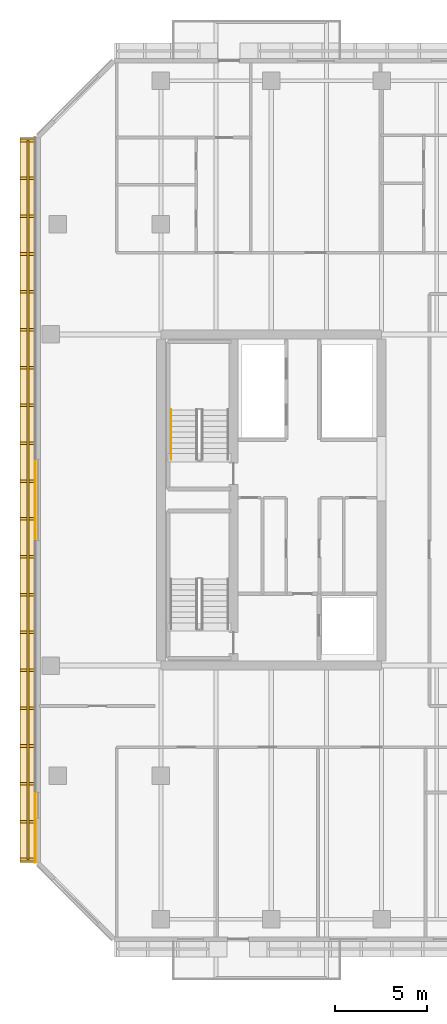
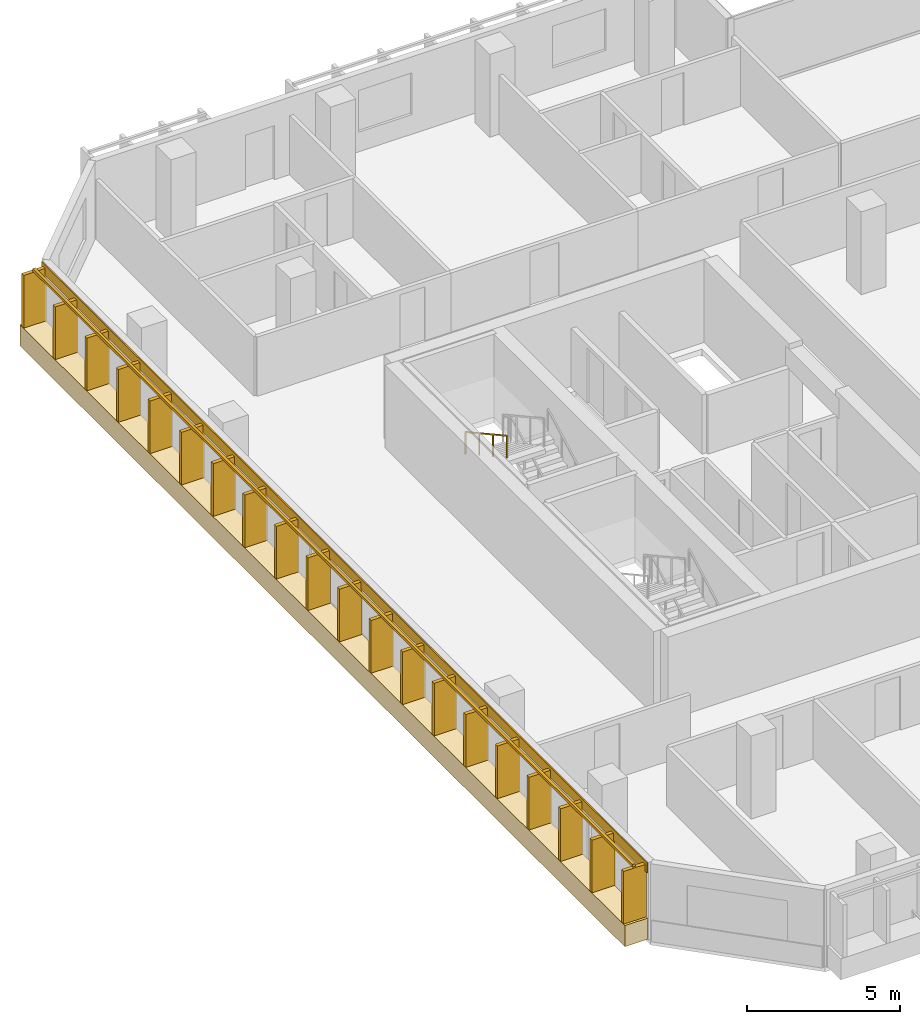
# One storey, part 19 of 23: 2 coverings, 2 railings.
"""IFC4 building model written with IfcOpenShell, lengths in metres."""

import ifcopenshell
import ifcopenshell.guid

model = None  # the IFC model being written
_history = None  # IfcOwnerHistory: only IFC2X3 demands one
_inside = {}  # id of a spatial element -> (the spatial element, [elements in it])
_under = {}  # id of a project, library or spatial element -> (it, [spatial elements below it])
_declared = {}  # id of a project -> (the project, [libraries it declares])
_typed = {}  # id of a type object -> (the type object, [elements of that type])
_made_of = {}  # id of a material, layer set ... -> (it, [elements and type objects made of it])


def new_model(schema):
    """Start an empty IFC model of exactly this schema.

    Asked for "IFC4X3", IfcOpenShell would pick the latest addendum, in which some entities
    have other attributes; the version numbers below select the first issue.
    IFC2X3 requires an IfcOwnerHistory on every rooted entity: one is made here for all.
    """
    global model, _history
    if schema == "IFC4X3":
        model = ifcopenshell.file(schema_version=(4, 3, 0, 0))
    else:
        model = ifcopenshell.file(schema=schema)
    _inside.clear()
    _under.clear()
    _declared.clear()
    _typed.clear()
    _made_of.clear()
    _history = None
    if model.schema == "IFC2X3":
        org = make("IfcOrganization", Name="unknown")
        user = make(
            "IfcPersonAndOrganization",
            ThePerson=make("IfcPerson", FamilyName="unknown"),
            TheOrganization=org,
        )
        app = make(
            "IfcApplication",
            ApplicationDeveloper=org,
            Version="unknown",
            ApplicationFullName="unknown",
            ApplicationIdentifier="unknown",
        )
        _history = make(
            "IfcOwnerHistory",
            OwningUser=user,
            OwningApplication=app,
            ChangeAction="ADDED",
            CreationDate=0,
        )
    return model


def make(cls, **values):
    """One entity of the class cls with the attributes given. An attribute that is None is left unset."""
    return model.create_entity(
        cls, **{name: value for name, value in values.items() if value is not None}
    )


def rooted(cls, **values):
    """An entity with a GlobalId (a new one), such as an element, a storey or a relation."""
    return make(cls, GlobalId=ifcopenshell.guid.new(), OwnerHistory=_history, **values)


def si_unit(unit_type, name, prefix=None):
    """IfcSIUnit, for example si_unit("LENGTHUNIT", "METRE", prefix="MILLI")."""
    return make("IfcSIUnit", UnitType=unit_type, Prefix=prefix, Name=name)


def assignment(units):
    """IfcUnitAssignment: the units of a project."""
    return None if units is None else make("IfcUnitAssignment", Units=units)


def point(xyz):
    """IfcCartesianPoint."""
    return None if xyz is None else make("IfcCartesianPoint", Coordinates=xyz)


def direction(xyz):
    """IfcDirection."""
    return None if xyz is None else make("IfcDirection", DirectionRatios=xyz)


def frame(location, z_axis=None, x_axis=None):
    """IfcAxis2Placement3D, a coordinate frame: its origin and axes. An axis left out is left unset."""
    return make(
        "IfcAxis2Placement3D",
        Location=point(location),
        Axis=direction(z_axis),
        RefDirection=direction(x_axis),
    )


def frame_2d(location, x_axis=None):
    """IfcAxis2Placement2D, a coordinate frame in the plane: its origin and x axis."""
    return make(
        "IfcAxis2Placement2D", Location=point(location), RefDirection=direction(x_axis)
    )


def origin():
    """The frame at (0, 0, 0) with its axes left unset."""
    return frame((0.0, 0.0, 0.0))


def origin_2d():
    """The frame at (0, 0) in the plane with its x axis left unset."""
    return frame_2d((0.0, 0.0))


def place(relative_to, where):
    """IfcLocalPlacement: puts the frame where relative to a parent placement (None: the world)."""
    return make(
        "IfcLocalPlacement", PlacementRelTo=relative_to, RelativePlacement=where
    )


def context(
    kind, dimensions, precision=None, world=None, true_north=None, identifier=None
):
    """IfcGeometricRepresentationContext, for example the 3D "Model" context."""
    return make(
        "IfcGeometricRepresentationContext",
        ContextIdentifier=identifier,
        ContextType=kind,
        CoordinateSpaceDimension=dimensions,
        Precision=precision,
        WorldCoordinateSystem=world,
        TrueNorth=true_north,
    )


def subcontext(parent, identifier, kind, view, scale=None):
    """IfcGeometricRepresentationSubContext, for example "Body" below "Model"."""
    return make(
        "IfcGeometricRepresentationSubContext",
        ContextIdentifier=identifier,
        ContextType=kind,
        ParentContext=parent,
        TargetScale=scale,
        TargetView=view,
    )


def project(units=None, contexts=None):
    """IfcProject with its units and contexts."""
    return rooted(
        "IfcProject",
        Name="project",
        RepresentationContexts=contexts,
        UnitsInContext=assignment(units),
    )


def spatial(cls, under=None, at=None, **own):
    """A site, building, storey or space (cls), placed at a placement, below another one or the project."""
    s = rooted(cls, ObjectPlacement=at, **own)
    if under is not None:
        _under.setdefault(under.id(), (under, []))[1].append(s)
    return s


def profile(cls, at=None, kind="AREA", **sizes):
    """A parametric profile (cls). Its sizes go by their IFC names, for example OverallWidth=200.0."""
    return make(cls, ProfileType=kind, Position=at, **sizes)


def rectangle(**sizes):
    """IfcRectangleProfileDef."""
    return profile("IfcRectangleProfileDef", **sizes)


def extrude(swept, where, along, depth):
    """IfcExtrudedAreaSolid: the profile swept, set in the frame where, extruded along a direction by depth."""
    return make(
        "IfcExtrudedAreaSolid",
        SweptArea=swept,
        Position=where,
        ExtrudedDirection=direction(along),
        Depth=depth,
    )


def shape(context_of_items, identifier, shape_type, items):
    """IfcShapeRepresentation: the items that make up one representation, for example the "Body"."""
    return make(
        "IfcShapeRepresentation",
        ContextOfItems=context_of_items,
        RepresentationIdentifier=identifier,
        RepresentationType=shape_type,
        Items=items,
    )


def material(Name=None, Category=None):
    """IfcMaterial."""
    return make("IfcMaterial", Name=Name, Category=Category)


def layer(
    of_material, thickness, ventilated=None, Name=None, Category=None, Priority=None
):
    """IfcMaterialLayer: one layer of a wall or slab, of a material (None: an air gap)."""
    return make(
        "IfcMaterialLayer",
        Material=of_material,
        LayerThickness=thickness,
        IsVentilated=ventilated,
        Name=Name,
        Category=Category,
        Priority=Priority,
    )


def layer_set(layers, Name=None):
    """IfcMaterialLayerSet."""
    return make("IfcMaterialLayerSet", MaterialLayers=layers, LayerSetName=Name)


def made_of(thing, what):
    """Note that an element or type object is made of a material, layer set ...; save() writes the relation."""
    if what is not None:
        _made_of.setdefault(what.id(), (what, []))[1].append(thing)
    return thing


def type_object(cls, material=None, **own):
    """A type object (cls), such as IfcWallType, which elements share."""
    return made_of(rooted(cls, **own), material)


def element(
    cls,
    number,
    at=None,
    inside=None,
    cuts=None,
    type_object=None,
    material=None,
    context=None,
    identifier="Body",
    shape_type=None,
    held_by="IfcProductDefinitionShape",
    body=None,
    shapes=None,
    **own,
):
    """One element of the class cls, such as IfcWall. Its Tag is "e" and its number.

    at: its placement. inside: the storey or other place that contains it. cuts: it is an
    opening in that element (IfcRelVoidsElement). A single representation is given by context,
    identifier, shape_type and body (its items); several are given by shapes. held_by: the class
    of the entity that holds the representations. save() writes the other relations.
    """
    e = rooted(cls, Tag="e%d" % number, ObjectPlacement=at, **own)
    if body is not None:
        shapes = [shape(context, identifier, shape_type, body)]
    if shapes is not None:
        e.Representation = make(held_by, Representations=shapes)
    if inside is not None:
        _inside.setdefault(inside.id(), (inside, []))[1].append(e)
    if cuts is not None:
        rooted(
            "IfcRelVoidsElement", RelatingBuildingElement=cuts, RelatedOpeningElement=e
        )
    if type_object is not None:
        _typed.setdefault(type_object.id(), (type_object, []))[1].append(e)
    return made_of(e, material)


def aggregate(whole, parts):
    """IfcRelAggregates: a whole, such as a stair, and the parts it consists of."""
    return rooted("IfcRelAggregates", RelatingObject=whole, RelatedObjects=parts)


def save(model, path):
    """Write the relations noted so far, then the file.

    IfcRelAggregates (storeys below a building ...), IfcRelContainedInSpatialStructure (elements
    in a storey), IfcRelDefinesByType, IfcRelAssociatesMaterial and IfcRelDeclares: one each for
    every whole, place, type object, material and project.
    """
    for whole, parts in _under.values():
        aggregate(whole, parts)
    for where, things in _inside.values():
        rooted(
            "IfcRelContainedInSpatialStructure",
            RelatedElements=things,
            RelatingStructure=where,
        )
    for kind, things in _typed.values():
        rooted("IfcRelDefinesByType", RelatedObjects=things, RelatingType=kind)
    for what, things in _made_of.values():
        rooted("IfcRelAssociatesMaterial", RelatedObjects=things, RelatingMaterial=what)
    for by, libraries in _declared.values():
        rooted("IfcRelDeclares", RelatingContext=by, RelatedDefinitions=libraries)
    model.write(path)


model = new_model("IFC4")

# Units and contexts
model_context = context("Model", 3, precision=1e-05, world=origin(), true_north=direction((0.0, 1.0)))
body_context = subcontext(model_context, "Body", "Model", "MODEL_VIEW")
ifc_project = project(units=[si_unit("LENGTHUNIT", "METRE"), si_unit("AREAUNIT", "SQUARE_METRE"), si_unit("VOLUMEUNIT", "CUBIC_METRE"), si_unit("PLANEANGLEUNIT", "RADIAN"), si_unit("MASSUNIT", "GRAM", prefix="KILO")], contexts=[model_context])

# Site, building, storey
site_placement = place(None, origin())
site = spatial("IfcSite", under=ifc_project, at=site_placement, CompositionType="ELEMENT")
building_placement = place(site_placement, origin())
building = spatial("IfcBuilding", under=site, at=building_placement, Name="Tanjung Sevakor Pilgrim Tower", CompositionType="ELEMENT")
storey_placement = place(building_placement, frame((0.0, 0.0, 105.27001953125)))
storey = spatial("IfcBuildingStorey", under=building, at=storey_placement, Name="L29", CompositionType="ELEMENT", Elevation=105.27001953125)

# Coverings
ifc_material_1 = material(Name="Reconstructed Limestone Cladding", Category="masonry")
ifc_layer = layer(ifc_material_1, 0.044921875)
ifc_layer_set = layer_set([ifc_layer], Name="COV-CLAD-LIMESTONE")
covering_type = type_object("IfcCoveringType", Name="COV-CLAD-LIMESTONE", PredefinedType="CLADDING", material=ifc_layer_set)
covering_1_placement = place(storey_placement, frame((16.77001953125, 33.60009765625, 0.009765625), z_axis=(0.0, 0.0, 1.0), x_axis=(0.0, -1.0, 0.0)))
element("IfcCovering", 1, at=covering_1_placement, inside=storey, type_object=covering_type, Name="L29 Warm Limestone Sill Spandrel EW-L29-MAIN-15-1", PredefinedType="CLADDING", context=body_context, shape_type="SweptSolid", body=[
    extrude(rectangle(XDim=39.41650390625, YDim=0.860107421875, at=origin_2d()), origin(), (0.0, 0.0, 1.0), 0.840087890625),
])
covering_2_placement = place(storey_placement, frame((17.177490234375, 33.60009765625, 2.66015625), z_axis=(0.0, 0.0, 1.0), x_axis=(0.0, -1.0, 0.0)))
element("IfcCovering", 2, at=covering_2_placement, inside=storey, type_object=covering_type, Name="L29 Warm Limestone Cornice Spandrel EW-L29-MAIN-15", PredefinedType="CLADDING", context=body_context, shape_type="SweptSolid", body=[
    extrude(rectangle(XDim=39.456298828125, YDim=0.044921875, at=origin_2d()), origin(), (0.0, 0.0, 1.0), 0.409912109375),
])

# Railings
ifc_material_2 = material(Name="Anodised Bronze Aluminium 6063-T6", Category="aluminium")
railing_type_1 = type_object("IfcRailingType", Name="RL-FIN-SCREEN", PredefinedType="BALUSTRADE", material=ifc_material_2)
railing_1_placement = place(storey_placement, frame((16.77490234375, 53.148193359375, 0.840087890625)))
element("IfcRailing", 3, at=railing_1_placement, inside=storey, type_object=railing_type_1, Name="L29 Vertical Bronze-Gold Solar Fin Screen FNEND-EW-L29-MAIN-15-1", PredefinedType="BALUSTRADE", context=body_context, shape_type="SweptSolid", body=[
    extrude(rectangle(XDim=0.105, YDim=0.105), frame((0.0, 0.0, 2.157470703125), z_axis=(0.0, -1.0, 0.0), x_axis=(1.0, 0.0, 0.0)), (0.0, 0.0, 1.0), 39.096435546875),
    extrude(rectangle(XDim=0.85, YDim=0.14), origin(), (0.0, 0.0, 1.0), 2.10498046875),
    extrude(rectangle(XDim=0.85, YDim=0.14), frame((0.0, -2.0576171875, 0.0)), (0.0, 0.0, 1.0), 2.10498046875),
    extrude(rectangle(XDim=0.85, YDim=0.14), frame((0.0, -4.115478515625, 0.0)), (0.0, 0.0, 1.0), 2.10498046875),
    extrude(rectangle(XDim=0.85, YDim=0.14), frame((0.0, -6.173095703125, 0.0)), (0.0, 0.0, 1.0), 2.10498046875),
    extrude(rectangle(XDim=0.85, YDim=0.14), frame((0.0, -8.230712890625, 0.0)), (0.0, 0.0, 1.0), 2.10498046875),
    extrude(rectangle(XDim=0.85, YDim=0.14), frame((0.0, -10.28857421875, 0.0)), (0.0, 0.0, 1.0), 2.10498046875),
    extrude(rectangle(XDim=0.85, YDim=0.14), frame((0.0, -12.34619140625, 0.0)), (0.0, 0.0, 1.0), 2.10498046875),
    extrude(rectangle(XDim=0.85, YDim=0.14), frame((0.0, -14.404052734375, 0.0)), (0.0, 0.0, 1.0), 2.10498046875),
    extrude(rectangle(XDim=0.85, YDim=0.14), frame((0.0, -16.461669921875, 0.0)), (0.0, 0.0, 1.0), 2.10498046875),
    extrude(rectangle(XDim=0.85, YDim=0.14), frame((0.0, -18.519287109375, 0.0)), (0.0, 0.0, 1.0), 2.10498046875),
    extrude(rectangle(XDim=0.85, YDim=0.14), frame((0.0, -20.5771484375, 0.0)), (0.0, 0.0, 1.0), 2.10498046875),
    extrude(rectangle(XDim=0.85, YDim=0.14), frame((0.0, -22.634765625, 0.0)), (0.0, 0.0, 1.0), 2.10498046875),
    extrude(rectangle(XDim=0.85, YDim=0.14), frame((0.0, -24.6923828125, 0.0)), (0.0, 0.0, 1.0), 2.10498046875),
    extrude(rectangle(XDim=0.85, YDim=0.14), frame((0.0, -26.750244140625, 0.0)), (0.0, 0.0, 1.0), 2.10498046875),
    extrude(rectangle(XDim=0.85, YDim=0.14), frame((0.0, -28.807861328125, 0.0)), (0.0, 0.0, 1.0), 2.10498046875),
    extrude(rectangle(XDim=0.85, YDim=0.14), frame((0.0, -30.86572265625, 0.0)), (0.0, 0.0, 1.0), 2.10498046875),
    extrude(rectangle(XDim=0.85, YDim=0.14), frame((0.0, -32.92333984375, 0.0)), (0.0, 0.0, 1.0), 2.10498046875),
    extrude(rectangle(XDim=0.85, YDim=0.14), frame((0.0, -34.98095703125, 0.0)), (0.0, 0.0, 1.0), 2.10498046875),
    extrude(rectangle(XDim=0.85, YDim=0.14), frame((0.0, -37.038818359375, 0.0)), (0.0, 0.0, 1.0), 2.10498046875),
    extrude(rectangle(XDim=0.85, YDim=0.14), frame((0.0, -39.096435546875, 0.0)), (0.0, 0.0, 1.0), 2.10498046875),
])
ifc_material_3 = material(Name="Steel S355J2", Category="steel")
railing_type_2 = type_object("IfcRailingType", Name="RL-STAIR-HAND", PredefinedType="HANDRAIL", material=ifc_material_3)
railing_2_placement = place(storey_placement, frame((24.550048828125, 38.5, 1.81494140625)))
element("IfcRailing", 4, at=railing_2_placement, inside=storey, type_object=railing_type_2, Name="L29 TS-W2 stair handrail 2", PredefinedType="HANDRAIL", context=body_context, shape_type="SweptSolid", body=[
    extrude(rectangle(XDim=0.0479, YDim=0.0479), frame((0.0, 0.0, 0.8759765625), z_axis=(0.0, -0.876197507361, 0.481952205197), x_axis=(1.0, 0.0, 0.0)), (0.0, 0.0, 1.0), 3.08154296875),
    extrude(rectangle(XDim=0.042, YDim=0.042), origin(), (0.0, 0.0, 1.0), 0.851806640625),
    extrude(rectangle(XDim=0.042, YDim=0.042), frame((0.0, -0.89990234375, 0.4951171875)), (0.0, 0.0, 1.0), 0.851806640625),
    extrude(rectangle(XDim=0.042, YDim=0.042), frame((0.0, -1.800048828125, 0.989990234375)), (0.0, 0.0, 1.0), 0.851806640625),
    extrude(rectangle(XDim=0.042, YDim=0.042), frame((0.0, -2.699951171875, 1.485107421875)), (0.0, 0.0, 1.0), 0.851806640625),
])

save(model, "model.ifc")
